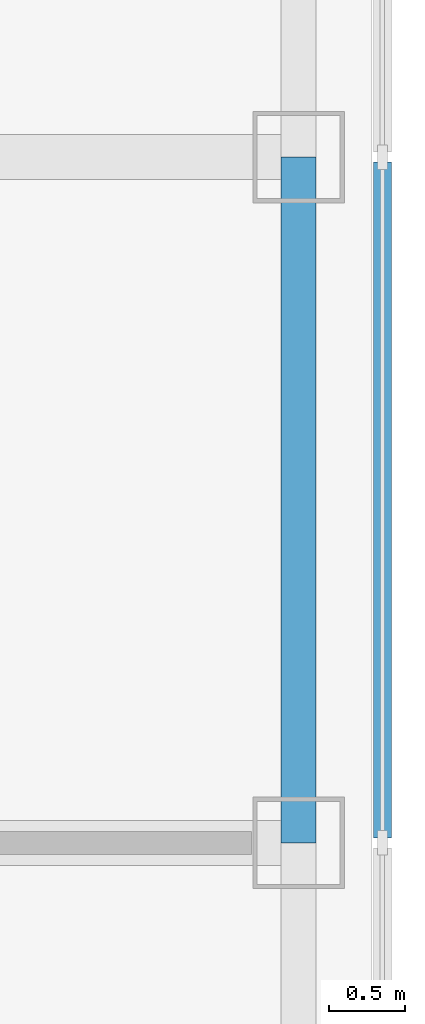
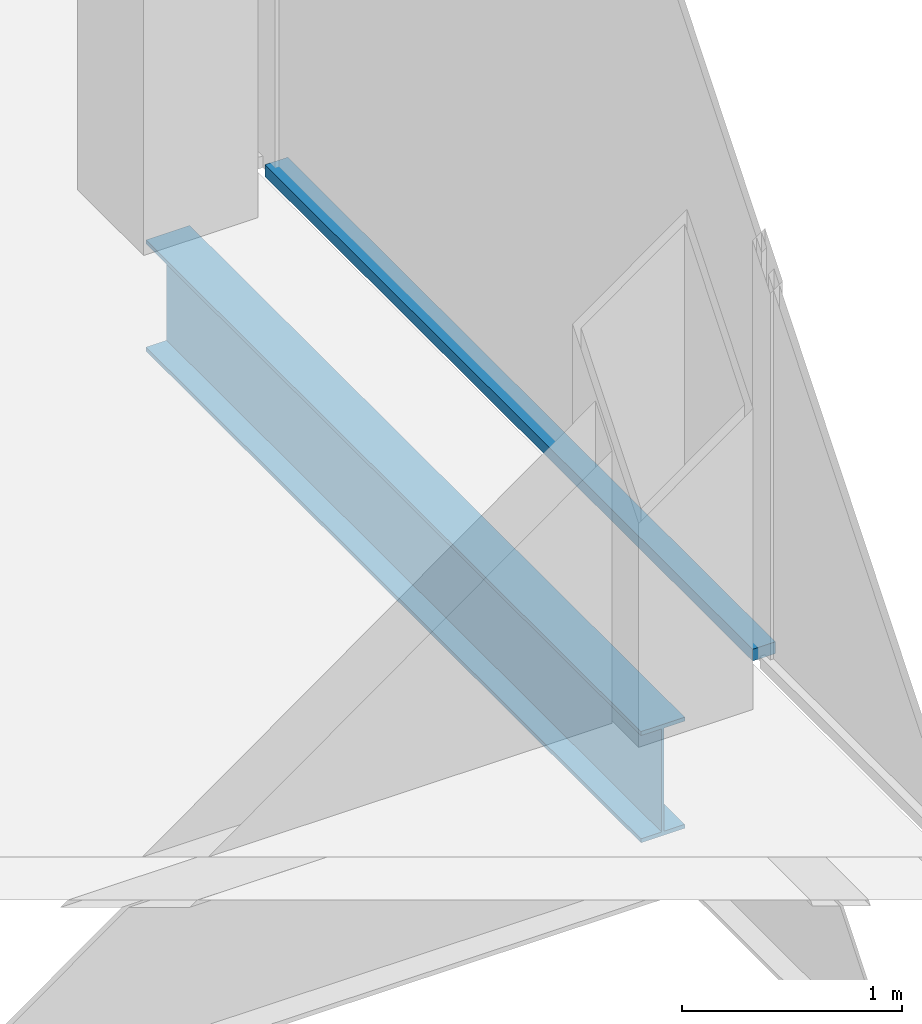
# One storey, part 5 of 13: 1 beam, 1 member, 1 element without a shape of its own.
"""IFC4 building model written with IfcOpenShell, lengths in metres."""

import ifcopenshell
import ifcopenshell.guid

model = None  # the IFC model being written
_history = None  # IfcOwnerHistory: only IFC2X3 demands one
_inside = {}  # id of a spatial element -> (the spatial element, [elements in it])
_under = {}  # id of a project, library or spatial element -> (it, [spatial elements below it])
_declared = {}  # id of a project -> (the project, [libraries it declares])
_typed = {}  # id of a type object -> (the type object, [elements of that type])
_made_of = {}  # id of a material, layer set ... -> (it, [elements and type objects made of it])


def new_model(schema):
    """Start an empty IFC model of exactly this schema.

    Asked for "IFC4X3", IfcOpenShell would pick the latest addendum, in which some entities
    have other attributes; the version numbers below select the first issue.
    IFC2X3 requires an IfcOwnerHistory on every rooted entity: one is made here for all.
    """
    global model, _history
    if schema == "IFC4X3":
        model = ifcopenshell.file(schema_version=(4, 3, 0, 0))
    else:
        model = ifcopenshell.file(schema=schema)
    _inside.clear()
    _under.clear()
    _declared.clear()
    _typed.clear()
    _made_of.clear()
    _history = None
    if model.schema == "IFC2X3":
        org = make("IfcOrganization", Name="unknown")
        user = make(
            "IfcPersonAndOrganization",
            ThePerson=make("IfcPerson", FamilyName="unknown"),
            TheOrganization=org,
        )
        app = make(
            "IfcApplication",
            ApplicationDeveloper=org,
            Version="unknown",
            ApplicationFullName="unknown",
            ApplicationIdentifier="unknown",
        )
        _history = make(
            "IfcOwnerHistory",
            OwningUser=user,
            OwningApplication=app,
            ChangeAction="ADDED",
            CreationDate=0,
        )
    return model


def make(cls, **values):
    """One entity of the class cls with the attributes given. An attribute that is None is left unset."""
    return model.create_entity(
        cls, **{name: value for name, value in values.items() if value is not None}
    )


def rooted(cls, **values):
    """An entity with a GlobalId (a new one), such as an element, a storey or a relation."""
    return make(cls, GlobalId=ifcopenshell.guid.new(), OwnerHistory=_history, **values)


def si_unit(unit_type, name, prefix=None):
    """IfcSIUnit, for example si_unit("LENGTHUNIT", "METRE", prefix="MILLI")."""
    return make("IfcSIUnit", UnitType=unit_type, Prefix=prefix, Name=name)


def assignment(units):
    """IfcUnitAssignment: the units of a project."""
    return None if units is None else make("IfcUnitAssignment", Units=units)


def point(xyz):
    """IfcCartesianPoint."""
    return None if xyz is None else make("IfcCartesianPoint", Coordinates=xyz)


def direction(xyz):
    """IfcDirection."""
    return None if xyz is None else make("IfcDirection", DirectionRatios=xyz)


def frame(location, z_axis=None, x_axis=None):
    """IfcAxis2Placement3D, a coordinate frame: its origin and axes. An axis left out is left unset."""
    return make(
        "IfcAxis2Placement3D",
        Location=point(location),
        Axis=direction(z_axis),
        RefDirection=direction(x_axis),
    )


def frame_2d(location, x_axis=None):
    """IfcAxis2Placement2D, a coordinate frame in the plane: its origin and x axis."""
    return make(
        "IfcAxis2Placement2D", Location=point(location), RefDirection=direction(x_axis)
    )


def origin():
    """The frame at (0, 0, 0) with its axes left unset."""
    return frame((0.0, 0.0, 0.0))


def origin_2d():
    """The frame at (0, 0) in the plane with its x axis left unset."""
    return frame_2d((0.0, 0.0))


def place(relative_to, where):
    """IfcLocalPlacement: puts the frame where relative to a parent placement (None: the world)."""
    return make(
        "IfcLocalPlacement", PlacementRelTo=relative_to, RelativePlacement=where
    )


def context(
    kind, dimensions, precision=None, world=None, true_north=None, identifier=None
):
    """IfcGeometricRepresentationContext, for example the 3D "Model" context."""
    return make(
        "IfcGeometricRepresentationContext",
        ContextIdentifier=identifier,
        ContextType=kind,
        CoordinateSpaceDimension=dimensions,
        Precision=precision,
        WorldCoordinateSystem=world,
        TrueNorth=true_north,
    )


def subcontext(parent, identifier, kind, view, scale=None):
    """IfcGeometricRepresentationSubContext, for example "Body" below "Model"."""
    return make(
        "IfcGeometricRepresentationSubContext",
        ContextIdentifier=identifier,
        ContextType=kind,
        ParentContext=parent,
        TargetScale=scale,
        TargetView=view,
    )


def project(units=None, contexts=None):
    """IfcProject with its units and contexts."""
    return rooted(
        "IfcProject",
        Name="project",
        RepresentationContexts=contexts,
        UnitsInContext=assignment(units),
    )


def spatial(cls, under=None, at=None, **own):
    """A site, building, storey or space (cls), placed at a placement, below another one or the project."""
    s = rooted(cls, ObjectPlacement=at, **own)
    if under is not None:
        _under.setdefault(under.id(), (under, []))[1].append(s)
    return s


def profile(cls, at=None, kind="AREA", **sizes):
    """A parametric profile (cls). Its sizes go by their IFC names, for example OverallWidth=200.0."""
    return make(cls, ProfileType=kind, Position=at, **sizes)


def rectangle(**sizes):
    """IfcRectangleProfileDef."""
    return profile("IfcRectangleProfileDef", **sizes)


def i_section(**sizes):
    """IfcIShapeProfileDef."""
    return profile("IfcIShapeProfileDef", **sizes)


def extrude(swept, where, along, depth):
    """IfcExtrudedAreaSolid: the profile swept, set in the frame where, extruded along a direction by depth."""
    return make(
        "IfcExtrudedAreaSolid",
        SweptArea=swept,
        Position=where,
        ExtrudedDirection=direction(along),
        Depth=depth,
    )


def shape(context_of_items, identifier, shape_type, items):
    """IfcShapeRepresentation: the items that make up one representation, for example the "Body"."""
    return make(
        "IfcShapeRepresentation",
        ContextOfItems=context_of_items,
        RepresentationIdentifier=identifier,
        RepresentationType=shape_type,
        Items=items,
    )


def material(Name=None, Category=None):
    """IfcMaterial."""
    return make("IfcMaterial", Name=Name, Category=Category)


def material_profile(
    of_material, cross_section, Name=None, Category=None, Priority=None
):
    """IfcMaterialProfile: a cross section and its material."""
    return make(
        "IfcMaterialProfile",
        Name=Name,
        Material=of_material,
        Profile=cross_section,
        Priority=Priority,
        Category=Category,
    )


def profile_set(profiles, Name=None, composite=None):
    """IfcMaterialProfileSet."""
    return make(
        "IfcMaterialProfileSet",
        Name=Name,
        MaterialProfiles=profiles,
        CompositeProfile=composite,
    )


def made_of(thing, what):
    """Note that an element or type object is made of a material, layer set ...; save() writes the relation."""
    if what is not None:
        _made_of.setdefault(what.id(), (what, []))[1].append(thing)
    return thing


def type_object(cls, material=None, **own):
    """A type object (cls), such as IfcWallType, which elements share."""
    return made_of(rooted(cls, **own), material)


def element(
    cls,
    number,
    at=None,
    inside=None,
    cuts=None,
    type_object=None,
    material=None,
    context=None,
    identifier="Body",
    shape_type=None,
    held_by="IfcProductDefinitionShape",
    body=None,
    shapes=None,
    **own,
):
    """One element of the class cls, such as IfcWall. Its Tag is "e" and its number.

    at: its placement. inside: the storey or other place that contains it. cuts: it is an
    opening in that element (IfcRelVoidsElement). A single representation is given by context,
    identifier, shape_type and body (its items); several are given by shapes. held_by: the class
    of the entity that holds the representations. save() writes the other relations.
    """
    e = rooted(cls, Tag="e%d" % number, ObjectPlacement=at, **own)
    if body is not None:
        shapes = [shape(context, identifier, shape_type, body)]
    if shapes is not None:
        e.Representation = make(held_by, Representations=shapes)
    if inside is not None:
        _inside.setdefault(inside.id(), (inside, []))[1].append(e)
    if cuts is not None:
        rooted(
            "IfcRelVoidsElement", RelatingBuildingElement=cuts, RelatedOpeningElement=e
        )
    if type_object is not None:
        _typed.setdefault(type_object.id(), (type_object, []))[1].append(e)
    return made_of(e, material)


def aggregate(whole, parts):
    """IfcRelAggregates: a whole, such as a stair, and the parts it consists of."""
    return rooted("IfcRelAggregates", RelatingObject=whole, RelatedObjects=parts)


def save(model, path):
    """Write the relations noted so far, then the file.

    IfcRelAggregates (storeys below a building ...), IfcRelContainedInSpatialStructure (elements
    in a storey), IfcRelDefinesByType, IfcRelAssociatesMaterial and IfcRelDeclares: one each for
    every whole, place, type object, material and project.
    """
    for whole, parts in _under.values():
        aggregate(whole, parts)
    for where, things in _inside.values():
        rooted(
            "IfcRelContainedInSpatialStructure",
            RelatedElements=things,
            RelatingStructure=where,
        )
    for kind, things in _typed.values():
        rooted("IfcRelDefinesByType", RelatedObjects=things, RelatingType=kind)
    for what, things in _made_of.values():
        rooted("IfcRelAssociatesMaterial", RelatedObjects=things, RelatingMaterial=what)
    for by, libraries in _declared.values():
        rooted("IfcRelDeclares", RelatingContext=by, RelatedDefinitions=libraries)
    model.write(path)


model = new_model("IFC4")

# Units and contexts
model_context = context("Model", 3, precision=1e-05, world=origin(), true_north=direction((0.0, 1.0)))
body_context = subcontext(model_context, "Body", "Model", "MODEL_VIEW")
ifc_project = project(units=[si_unit("LENGTHUNIT", "METRE"), si_unit("AREAUNIT", "SQUARE_METRE"), si_unit("VOLUMEUNIT", "CUBIC_METRE"), si_unit("PLANEANGLEUNIT", "RADIAN"), si_unit("MASSUNIT", "GRAM", prefix="KILO")], contexts=[model_context])

# Site, building, storey
site_placement = place(None, origin())
site = spatial("IfcSite", under=ifc_project, at=site_placement, CompositionType="ELEMENT")
building_placement = place(site_placement, origin())
building = spatial("IfcBuilding", under=site, at=building_placement, Name="Corais Broadcast Tower", CompositionType="ELEMENT")
storey_placement = place(building_placement, frame((0.0, 0.0, 270.60009765625)))
storey = spatial("IfcBuildingStorey", under=building, at=storey_placement, Name="L63", CompositionType="ELEMENT", Elevation=270.60009765625)

# Beam
ifc_material_1 = material(Name="Steel ASTM A572 Grade 50", Category="steel")
ifc_material_profile_1 = material_profile(ifc_material_1, i_section(OverallWidth=0.22998046875, OverallDepth=0.616943359375, WebThickness=0.01318359375, FlangeThickness=0.022216796875, at=origin_2d()), Name="W610x140")
ifc_profile_set_1 = profile_set([ifc_material_profile_1], Name="Steel ASTM A572 Grade 50")
beam_type = type_object("IfcBeamType", Name="Spandrel W610x140", PredefinedType="BEAM", material=ifc_profile_set_1)
beam_placement = place(storey_placement, frame((54.0, 27.0, -0.468505859375), z_axis=(0.0, 1.0, 0.0), x_axis=(-1.0, 0.0, 0.0)))
element("IfcBeam", 1, at=beam_placement, inside=storey, type_object=beam_type, Name="SB3 G/15 to H/15", PredefinedType="BEAM", context=body_context, shape_type="SweptSolid", body=[
    extrude(i_section(OverallWidth=0.22998046875, OverallDepth=0.616943359375, WebThickness=0.01318359375, FlangeThickness=0.022216796875, at=origin_2d()), origin(), (0.0, 0.0, 1.0), 4.5),
])

# Curtain wall, member
ifc_material_2 = material(Name="Aluminium and glass", Category="aluminium")
curtain_wall_type = type_object("IfcCurtainWallType", Name="Unitised fritted curtain wall CW3", PredefinedType="NOTDEFINED", material=ifc_material_2)
curtain_wall_placement = place(storey_placement, origin())
curtain_wall = element("IfcCurtainWall", 2, at=curtain_wall_placement, inside=storey, type_object=curtain_wall_type, Name="CW3 curtain wall L63 6", PredefinedType="NOTDEFINED")
ifc_material_3 = material(Name="Aluminium 6063-T6", Category="aluminium")
ifc_material_profile_2 = material_profile(ifc_material_3, rectangle(XDim=0.1201171875, YDim=0.06494140625, at=origin_2d()), Name="Transom CW3 65x120")
ifc_profile_set_2 = profile_set([ifc_material_profile_2], Name="Aluminium 6063-T6")
member_type = type_object("IfcMemberType", Name="Transom CW3 65x120", PredefinedType="USERDEFINED", material=ifc_profile_set_2)
member_placement = place(storey_placement, frame((54.550048828125, 31.467529296875, 0.032470703125), z_axis=(0.0, -1.0, 0.0), x_axis=(1.0, 0.0, 0.0)))
member = element("IfcMember", 3, at=member_placement, type_object=member_type, Name="CW3 transom 3.1", ObjectType="TRANSOM", PredefinedType="USERDEFINED", context=body_context, shape_type="SweptSolid", body=[
    extrude(rectangle(XDim=0.1201171875, YDim=0.06494140625, at=origin_2d()), origin(), (0.0, 0.0, 1.0), 4.43505859375),
])
aggregate(curtain_wall, [member])

save(model, "model.ifc")
